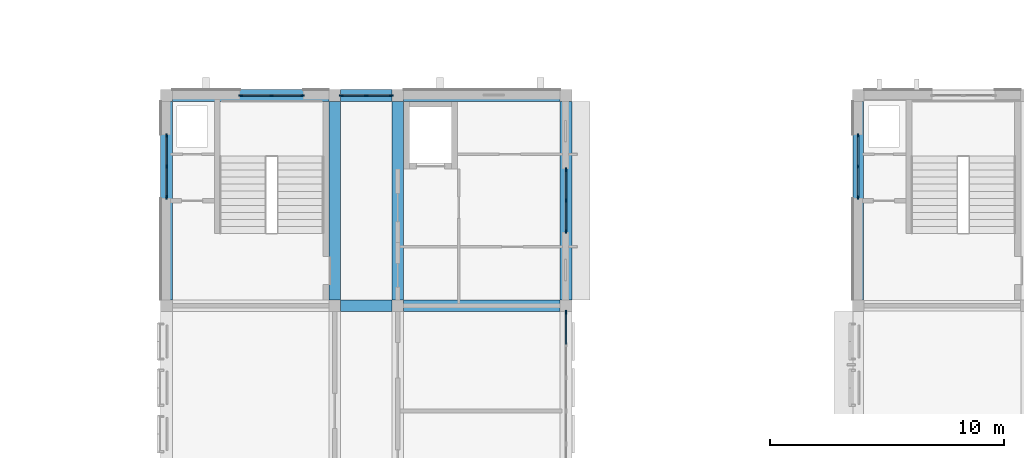
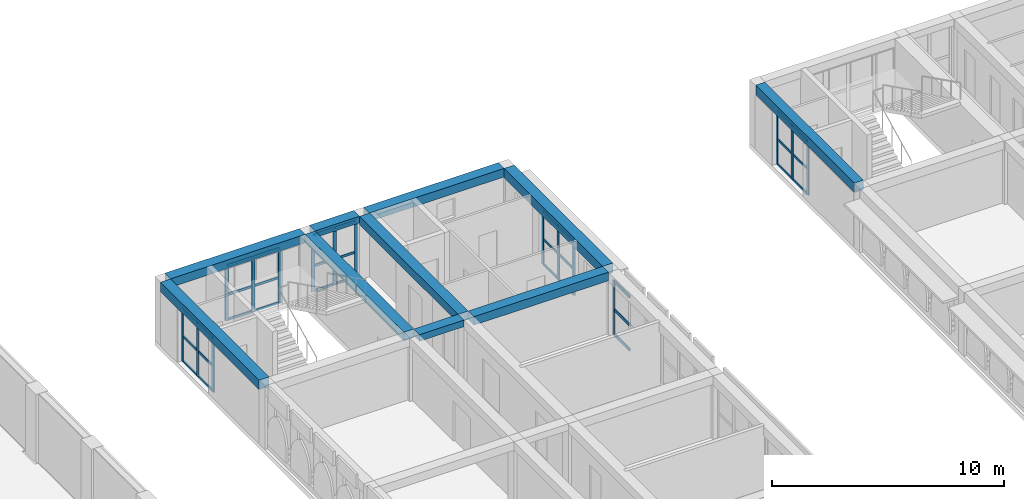
# One storey, part 21 of 82: 49 members, 10 beams, 6 elements without a shape of their own.
"""IFC4 building model written with IfcOpenShell, lengths in metres."""

from ifc_helpers import new_model, si_unit, direction, frame, origin, origin_2d, place, context, subcontext, project, spatial, rectangle, extrude, material, layer, layer_set, material_profile, profile_set, type_object, element, aggregate, save


model = new_model("IFC4")

# Units and contexts
model_context = context("Model", 3, precision=1e-05, world=origin(), true_north=direction((0.0, 1.0)))
body_context = subcontext(model_context, "Body", "Model", "MODEL_VIEW")
ifc_project = project(units=[si_unit("LENGTHUNIT", "METRE"), si_unit("AREAUNIT", "SQUARE_METRE"), si_unit("VOLUMEUNIT", "CUBIC_METRE"), si_unit("PLANEANGLEUNIT", "RADIAN"), si_unit("MASSUNIT", "GRAM", prefix="KILO")], contexts=[model_context])

# Site, building, storey
site_placement = place(None, origin())
site = spatial("IfcSite", under=ifc_project, at=site_placement, CompositionType="ELEMENT")
building_placement = place(site_placement, origin())
building = spatial("IfcBuilding", under=site, at=building_placement, Name="Elbe Cascade School", CompositionType="ELEMENT")
storey_placement = place(building_placement, frame((0.0, 0.0, 4.5)))
storey = spatial("IfcBuildingStorey", under=building, at=storey_placement, Name="L01", CompositionType="ELEMENT", Elevation=4.5)

# Curtain wall, members
ifc_material_1 = material(Name="Aluminium frame with double glazing, bronze anodised", Category="aluminium")
ifc_layer_1 = layer(ifc_material_1, 0.159912109375)
ifc_layer_set_1 = layer_set([ifc_layer_1], Name="Aluminium frame with double glazing, bronze anodised")
curtain_wall_type_1 = type_object("IfcCurtainWallType", Name="Bars envelope Curtain wall, aluminium, bronze anodised, storey-high slot", PredefinedType="NOTDEFINED", material=ifc_layer_set_1)
curtain_wall_1_placement = place(storey_placement, origin())
curtain_wall_1 = element("IfcCurtainWall", 1, at=curtain_wall_1_placement, inside=storey, type_object=curtain_wall_type_1, Name="Curtain wall CW4 A.L01.w6", PredefinedType="NOTDEFINED")
ifc_material_2 = material(Name="Aluminium mullion, bronze anodised", Category="aluminium")
ifc_material_profile_1 = material_profile(ifc_material_2, rectangle(XDim=0.06005859375, YDim=0.159912109375, at=origin_2d()), Name="Bars envelope Curtain wall mullion 60 x 160, aluminium, storey-high slot")
ifc_profile_set_1 = profile_set([ifc_material_profile_1], Name="Aluminium mullion, bronze anodised")
member_type_1 = type_object("IfcMemberType", Name="Bars envelope Curtain wall mullion 60 x 160, aluminium, storey-high slot", PredefinedType="MULLION", material=ifc_profile_set_1)
member_1_placement = place(storey_placement, frame((69.0, 55.639892578125, 0.0), z_axis=(0.0, 0.0, 1.0), x_axis=(-1.0, 0.0, 0.0)))
member_1 = element("IfcMember", 2, at=member_1_placement, type_object=member_type_1, Name="CW4 mullion 1", PredefinedType="MULLION", context=body_context, shape_type="SweptSolid", body=[
    extrude(rectangle(XDim=0.06005859375, YDim=0.159912109375, at=origin_2d()), origin(), (0.0, 0.0, 1.0), 2.85009765625),
])
member_2_placement = place(storey_placement, frame((69.0, 56.9599609375, 0.0), z_axis=(0.0, 0.0, 1.0), x_axis=(-1.0, 0.0, 0.0)))
member_2 = element("IfcMember", 3, at=member_2_placement, type_object=member_type_1, Name="CW4 mullion 2", PredefinedType="MULLION", context=body_context, shape_type="SweptSolid", body=[
    extrude(rectangle(XDim=0.06005859375, YDim=0.159912109375, at=origin_2d()), origin(), (0.0, 0.0, 1.0), 2.85009765625),
])
member_3_placement = place(storey_placement, frame((69.0, 58.280029296875, 0.0), z_axis=(0.0, 0.0, 1.0), x_axis=(-1.0, 0.0, 0.0)))
member_3 = element("IfcMember", 4, at=member_3_placement, type_object=member_type_1, Name="CW4 mullion 3", PredefinedType="MULLION", context=body_context, shape_type="SweptSolid", body=[
    extrude(rectangle(XDim=0.06005859375, YDim=0.159912109375, at=origin_2d()), origin(), (0.0, 0.0, 1.0), 2.85009765625),
])

curtain_wall_2_placement = place(storey_placement, origin())
curtain_wall_2 = element("IfcCurtainWall", 5, at=curtain_wall_2_placement, inside=storey, type_object=curtain_wall_type_1, Name="Curtain wall CW4 A.L01.e6", PredefinedType="NOTDEFINED")
member_4_placement = place(storey_placement, frame((86.10009765625, 56.820068359375, 0.0), z_axis=(0.0, 0.0, 1.0), x_axis=(1.0, 0.0, 0.0)))
member_4 = element("IfcMember", 6, at=member_4_placement, type_object=member_type_1, Name="CW4 mullion 1", PredefinedType="MULLION", context=body_context, shape_type="SweptSolid", body=[
    extrude(rectangle(XDim=0.06005859375, YDim=0.159912109375, at=origin_2d()), origin(), (0.0, 0.0, 1.0), 2.85009765625),
])
member_5_placement = place(storey_placement, frame((86.10009765625, 55.5, 0.0), z_axis=(0.0, 0.0, 1.0), x_axis=(1.0, 0.0, 0.0)))
member_5 = element("IfcMember", 7, at=member_5_placement, type_object=member_type_1, Name="CW4 mullion 2", PredefinedType="MULLION", context=body_context, shape_type="SweptSolid", body=[
    extrude(rectangle(XDim=0.06005859375, YDim=0.159912109375, at=origin_2d()), origin(), (0.0, 0.0, 1.0), 2.85009765625),
])
member_6_placement = place(storey_placement, frame((86.10009765625, 54.179931640625, 0.0), z_axis=(0.0, 0.0, 1.0), x_axis=(1.0, 0.0, 0.0)))
member_6 = element("IfcMember", 8, at=member_6_placement, type_object=member_type_1, Name="CW4 mullion 3", PredefinedType="MULLION", context=body_context, shape_type="SweptSolid", body=[
    extrude(rectangle(XDim=0.06005859375, YDim=0.159912109375, at=origin_2d()), origin(), (0.0, 0.0, 1.0), 2.85009765625),
])

curtain_wall_3_placement = place(storey_placement, origin())
curtain_wall_3 = element("IfcCurtainWall", 9, at=curtain_wall_3_placement, inside=storey, type_object=curtain_wall_type_1, Name="Curtain wall CW4 A.L01.n1", PredefinedType="NOTDEFINED")
member_7_placement = place(storey_placement, frame((72.179931640625, 60.0, 0.0), z_axis=(0.0, 0.0, 1.0), x_axis=(0.0, 1.0, 0.0)))
member_7 = element("IfcMember", 10, at=member_7_placement, type_object=member_type_1, Name="CW4 mullion 1", PredefinedType="MULLION", context=body_context, shape_type="SweptSolid", body=[
    extrude(rectangle(XDim=0.06005859375, YDim=0.159912109375, at=origin_2d()), origin(), (0.0, 0.0, 1.0), 2.89990234375),
])
member_8_placement = place(storey_placement, frame((73.5, 60.0, 0.0), z_axis=(0.0, 0.0, 1.0), x_axis=(0.0, 1.0, 0.0)))
member_8 = element("IfcMember", 11, at=member_8_placement, type_object=member_type_1, Name="CW4 mullion 2", PredefinedType="MULLION", context=body_context, shape_type="SweptSolid", body=[
    extrude(rectangle(XDim=0.06005859375, YDim=0.159912109375, at=origin_2d()), origin(), (0.0, 0.0, 1.0), 2.89990234375),
])
member_9_placement = place(storey_placement, frame((74.820068359375, 60.0, 0.0), z_axis=(0.0, 0.0, 1.0), x_axis=(0.0, 1.0, 0.0)))
member_9 = element("IfcMember", 12, at=member_9_placement, type_object=member_type_1, Name="CW4 mullion 3", PredefinedType="MULLION", context=body_context, shape_type="SweptSolid", body=[
    extrude(rectangle(XDim=0.06005859375, YDim=0.159912109375, at=origin_2d()), origin(), (0.0, 0.0, 1.0), 2.89990234375),
])

curtain_wall_4_placement = place(storey_placement, origin())
curtain_wall_4 = element("IfcCurtainWall", 13, at=curtain_wall_4_placement, inside=storey, type_object=curtain_wall_type_1, Name="Curtain wall CW4 A.L01.n2", PredefinedType="NOTDEFINED")
member_10_placement = place(storey_placement, frame((76.47998046875, 60.0, 0.0), z_axis=(0.0, 0.0, 1.0), x_axis=(0.0, 1.0, 0.0)))
member_10 = element("IfcMember", 14, at=member_10_placement, type_object=member_type_1, Name="CW4 mullion 1", PredefinedType="MULLION", context=body_context, shape_type="SweptSolid", body=[
    extrude(rectangle(XDim=0.06005859375, YDim=0.159912109375, at=origin_2d()), origin(), (0.0, 0.0, 1.0), 3.0),
])
member_11_placement = place(storey_placement, frame((77.550048828125, 60.0, 0.0), z_axis=(0.0, 0.0, 1.0), x_axis=(0.0, 1.0, 0.0)))
member_11 = element("IfcMember", 15, at=member_11_placement, type_object=member_type_1, Name="CW4 mullion 2", PredefinedType="MULLION", context=body_context, shape_type="SweptSolid", body=[
    extrude(rectangle(XDim=0.06005859375, YDim=0.159912109375, at=origin_2d()), origin(), (0.0, 0.0, 1.0), 3.0),
])
member_12_placement = place(storey_placement, frame((78.6201171875, 60.0, 0.0), z_axis=(0.0, 0.0, 1.0), x_axis=(0.0, 1.0, 0.0)))
member_12 = element("IfcMember", 16, at=member_12_placement, type_object=member_type_1, Name="CW4 mullion 3", PredefinedType="MULLION", context=body_context, shape_type="SweptSolid", body=[
    extrude(rectangle(XDim=0.06005859375, YDim=0.159912109375, at=origin_2d()), origin(), (0.0, 0.0, 1.0), 3.0),
])

curtain_wall_5_placement = place(storey_placement, origin())
curtain_wall_5 = element("IfcCurtainWall", 17, at=curtain_wall_5_placement, inside=storey, type_object=curtain_wall_type_1, Name="Curtain wall CW4 B.L01.w6", PredefinedType="NOTDEFINED")
member_13_placement = place(storey_placement, frame((98.60009765625, 55.639892578125, 0.0), z_axis=(0.0, 0.0, 1.0), x_axis=(-1.0, 0.0, 0.0)))
member_13 = element("IfcMember", 18, at=member_13_placement, type_object=member_type_1, Name="CW4 mullion 1", PredefinedType="MULLION", context=body_context, shape_type="SweptSolid", body=[
    extrude(rectangle(XDim=0.06005859375, YDim=0.159912109375, at=origin_2d()), origin(), (0.0, 0.0, 1.0), 2.85009765625),
])
member_14_placement = place(storey_placement, frame((98.60009765625, 56.9599609375, 0.0), z_axis=(0.0, 0.0, 1.0), x_axis=(-1.0, 0.0, 0.0)))
member_14 = element("IfcMember", 19, at=member_14_placement, type_object=member_type_1, Name="CW4 mullion 2", PredefinedType="MULLION", context=body_context, shape_type="SweptSolid", body=[
    extrude(rectangle(XDim=0.06005859375, YDim=0.159912109375, at=origin_2d()), origin(), (0.0, 0.0, 1.0), 2.85009765625),
])
member_15_placement = place(storey_placement, frame((98.60009765625, 58.280029296875, 0.0), z_axis=(0.0, 0.0, 1.0), x_axis=(-1.0, 0.0, 0.0)))
member_15 = element("IfcMember", 20, at=member_15_placement, type_object=member_type_1, Name="CW4 mullion 3", PredefinedType="MULLION", context=body_context, shape_type="SweptSolid", body=[
    extrude(rectangle(XDim=0.06005859375, YDim=0.159912109375, at=origin_2d()), origin(), (0.0, 0.0, 1.0), 2.85009765625),
])

# Curtain wall, member
ifc_material_3 = material(Name="Aluminium frame with double glazing, bronze anodised", Category="aluminium")
ifc_layer_2 = layer(ifc_material_3, 0.179931640625)
ifc_layer_set_2 = layer_set([ifc_layer_2], Name="Aluminium frame with double glazing, bronze anodised")
curtain_wall_type_2 = type_object("IfcCurtainWallType", Name="Bars envelope Curtain wall, aluminium, bronze anodised, wide run", PredefinedType="NOTDEFINED", material=ifc_layer_set_2)
curtain_wall_6_placement = place(storey_placement, origin())
curtain_wall_6 = element("IfcCurtainWall", 21, at=curtain_wall_6_placement, inside=storey, type_object=curtain_wall_type_2, Name="Curtain wall CW5 A.L01.e5", PredefinedType="NOTDEFINED")
ifc_material_4 = material(Name="Aluminium mullion, bronze anodised", Category="aluminium")
ifc_material_profile_2 = material_profile(ifc_material_4, rectangle(XDim=0.06005859375, YDim=0.179931640625, at=origin_2d()), Name="Bars envelope Curtain wall mullion 60 x 180, aluminium, wide run")
ifc_profile_set_2 = profile_set([ifc_material_profile_2], Name="Aluminium mullion, bronze anodised")
member_type_2 = type_object("IfcMemberType", Name="Bars envelope Curtain wall mullion 60 x 180, aluminium, wide run", PredefinedType="MULLION", material=ifc_profile_set_2)
member_16_placement = place(storey_placement, frame((86.10009765625, 50.719970703125, 0.0), z_axis=(0.0, 0.0, 1.0), x_axis=(1.0, 0.0, 0.0)))
member_16 = element("IfcMember", 22, at=member_16_placement, type_object=member_type_2, Name="CW5 mullion 1", PredefinedType="MULLION", context=body_context, shape_type="SweptSolid", body=[
    extrude(rectangle(XDim=0.06005859375, YDim=0.179931640625, at=origin_2d()), origin(), (0.0, 0.0, 1.0), 2.85009765625),
])

# Member
ifc_material_5 = material(Name="Aluminium transom, bronze anodised", Category="aluminium")
ifc_material_profile_3 = material_profile(ifc_material_5, rectangle(XDim=0.06005859375, YDim=0.1201171875, at=origin_2d()), Name="Bars envelope Curtain wall transom 60 x 120, aluminium, storey-high slot")
ifc_profile_set_3 = profile_set([ifc_material_profile_3], Name="Aluminium transom, bronze anodised")
member_type_3 = type_object("IfcMemberType", Name="Bars envelope Curtain wall transom 60 x 120, aluminium, storey-high slot", PredefinedType="USERDEFINED", material=ifc_profile_set_3)
member_17_placement = place(storey_placement, frame((69.0, 55.669921875, 0.030029296875), z_axis=(0.0, 1.0, 0.0), x_axis=(-1.0, 0.0, 0.0)))
member_17 = element("IfcMember", 23, at=member_17_placement, type_object=member_type_3, Name="CW4 transom 1.1", ObjectType="TRANSOM", PredefinedType="USERDEFINED", context=body_context, shape_type="SweptSolid", body=[
    extrude(rectangle(XDim=0.06005859375, YDim=0.1201171875, at=origin_2d()), origin(), (0.0, 0.0, 1.0), 1.260009765625),
])

member_18_placement = place(storey_placement, frame((69.0, 55.669921875, 1.35009765625), z_axis=(0.0, 1.0, 0.0), x_axis=(-1.0, 0.0, 0.0)))
member_18 = element("IfcMember", 24, at=member_18_placement, type_object=member_type_3, Name="CW4 transom 1.2", ObjectType="TRANSOM", PredefinedType="USERDEFINED", context=body_context, shape_type="SweptSolid", body=[
    extrude(rectangle(XDim=0.06005859375, YDim=0.1201171875, at=origin_2d()), origin(), (0.0, 0.0, 1.0), 1.260009765625),
])

member_19_placement = place(storey_placement, frame((69.0, 55.669921875, 2.820068359375), z_axis=(0.0, 1.0, 0.0), x_axis=(-1.0, 0.0, 0.0)))
member_19 = element("IfcMember", 25, at=member_19_placement, type_object=member_type_3, Name="CW4 transom 1.3", ObjectType="TRANSOM", PredefinedType="USERDEFINED", context=body_context, shape_type="SweptSolid", body=[
    extrude(rectangle(XDim=0.06005859375, YDim=0.1201171875, at=origin_2d()), origin(), (0.0, 0.0, 1.0), 1.260009765625),
])

member_20_placement = place(storey_placement, frame((69.0, 56.989990234375, 0.030029296875), z_axis=(0.0, 1.0, 0.0), x_axis=(-1.0, 0.0, 0.0)))
member_20 = element("IfcMember", 26, at=member_20_placement, type_object=member_type_3, Name="CW4 transom 2.1", ObjectType="TRANSOM", PredefinedType="USERDEFINED", context=body_context, shape_type="SweptSolid", body=[
    extrude(rectangle(XDim=0.06005859375, YDim=0.1201171875, at=origin_2d()), origin(), (0.0, 0.0, 1.0), 1.260009765625),
])

member_21_placement = place(storey_placement, frame((69.0, 56.989990234375, 1.35009765625), z_axis=(0.0, 1.0, 0.0), x_axis=(-1.0, 0.0, 0.0)))
member_21 = element("IfcMember", 27, at=member_21_placement, type_object=member_type_3, Name="CW4 transom 2.2", ObjectType="TRANSOM", PredefinedType="USERDEFINED", context=body_context, shape_type="SweptSolid", body=[
    extrude(rectangle(XDim=0.06005859375, YDim=0.1201171875, at=origin_2d()), origin(), (0.0, 0.0, 1.0), 1.260009765625),
])

member_22_placement = place(storey_placement, frame((69.0, 56.989990234375, 2.820068359375), z_axis=(0.0, 1.0, 0.0), x_axis=(-1.0, 0.0, 0.0)))
member_22 = element("IfcMember", 28, at=member_22_placement, type_object=member_type_3, Name="CW4 transom 2.3", ObjectType="TRANSOM", PredefinedType="USERDEFINED", context=body_context, shape_type="SweptSolid", body=[
    extrude(rectangle(XDim=0.06005859375, YDim=0.1201171875, at=origin_2d()), origin(), (0.0, 0.0, 1.0), 1.260009765625),
])

aggregate(curtain_wall_1, [member_1, member_2, member_3, member_17, member_18, member_19, member_20, member_21, member_22])

member_23_placement = place(storey_placement, frame((86.10009765625, 56.7900390625, 0.030029296875), z_axis=(0.0, -1.0, 0.0), x_axis=(1.0, 0.0, 0.0)))
member_23 = element("IfcMember", 29, at=member_23_placement, type_object=member_type_3, Name="CW4 transom 1.1", ObjectType="TRANSOM", PredefinedType="USERDEFINED", context=body_context, shape_type="SweptSolid", body=[
    extrude(rectangle(XDim=0.06005859375, YDim=0.1201171875, at=origin_2d()), origin(), (0.0, 0.0, 1.0), 1.260009765625),
])

member_24_placement = place(storey_placement, frame((86.10009765625, 56.7900390625, 1.35009765625), z_axis=(0.0, -1.0, 0.0), x_axis=(1.0, 0.0, 0.0)))
member_24 = element("IfcMember", 30, at=member_24_placement, type_object=member_type_3, Name="CW4 transom 1.2", ObjectType="TRANSOM", PredefinedType="USERDEFINED", context=body_context, shape_type="SweptSolid", body=[
    extrude(rectangle(XDim=0.06005859375, YDim=0.1201171875, at=origin_2d()), origin(), (0.0, 0.0, 1.0), 1.260009765625),
])

member_25_placement = place(storey_placement, frame((86.10009765625, 56.7900390625, 2.820068359375), z_axis=(0.0, -1.0, 0.0), x_axis=(1.0, 0.0, 0.0)))
member_25 = element("IfcMember", 31, at=member_25_placement, type_object=member_type_3, Name="CW4 transom 1.3", ObjectType="TRANSOM", PredefinedType="USERDEFINED", context=body_context, shape_type="SweptSolid", body=[
    extrude(rectangle(XDim=0.06005859375, YDim=0.1201171875, at=origin_2d()), origin(), (0.0, 0.0, 1.0), 1.260009765625),
])

member_26_placement = place(storey_placement, frame((86.10009765625, 55.469970703125, 0.030029296875), z_axis=(0.0, -1.0, 0.0), x_axis=(1.0, 0.0, 0.0)))
member_26 = element("IfcMember", 32, at=member_26_placement, type_object=member_type_3, Name="CW4 transom 2.1", ObjectType="TRANSOM", PredefinedType="USERDEFINED", context=body_context, shape_type="SweptSolid", body=[
    extrude(rectangle(XDim=0.06005859375, YDim=0.1201171875, at=origin_2d()), origin(), (0.0, 0.0, 1.0), 1.260009765625),
])

member_27_placement = place(storey_placement, frame((86.10009765625, 55.469970703125, 1.35009765625), z_axis=(0.0, -1.0, 0.0), x_axis=(1.0, 0.0, 0.0)))
member_27 = element("IfcMember", 33, at=member_27_placement, type_object=member_type_3, Name="CW4 transom 2.2", ObjectType="TRANSOM", PredefinedType="USERDEFINED", context=body_context, shape_type="SweptSolid", body=[
    extrude(rectangle(XDim=0.06005859375, YDim=0.1201171875, at=origin_2d()), origin(), (0.0, 0.0, 1.0), 1.260009765625),
])

member_28_placement = place(storey_placement, frame((86.10009765625, 55.469970703125, 2.820068359375), z_axis=(0.0, -1.0, 0.0), x_axis=(1.0, 0.0, 0.0)))
member_28 = element("IfcMember", 34, at=member_28_placement, type_object=member_type_3, Name="CW4 transom 2.3", ObjectType="TRANSOM", PredefinedType="USERDEFINED", context=body_context, shape_type="SweptSolid", body=[
    extrude(rectangle(XDim=0.06005859375, YDim=0.1201171875, at=origin_2d()), origin(), (0.0, 0.0, 1.0), 1.260009765625),
])

aggregate(curtain_wall_2, [member_4, member_5, member_6, member_23, member_24, member_25, member_26, member_27, member_28])

member_29_placement = place(storey_placement, frame((72.2099609375, 60.0, 0.030029296875), z_axis=(1.0, 0.0, 0.0), x_axis=(0.0, 1.0, 0.0)))
member_29 = element("IfcMember", 35, at=member_29_placement, type_object=member_type_3, Name="CW4 transom 1.1", ObjectType="TRANSOM", PredefinedType="USERDEFINED", context=body_context, shape_type="SweptSolid", body=[
    extrude(rectangle(XDim=0.06005859375, YDim=0.1201171875, at=origin_2d()), origin(), (0.0, 0.0, 1.0), 1.260009765625),
])

member_30_placement = place(storey_placement, frame((72.2099609375, 60.0, 1.35009765625), z_axis=(1.0, 0.0, 0.0), x_axis=(0.0, 1.0, 0.0)))
member_30 = element("IfcMember", 36, at=member_30_placement, type_object=member_type_3, Name="CW4 transom 1.2", ObjectType="TRANSOM", PredefinedType="USERDEFINED", context=body_context, shape_type="SweptSolid", body=[
    extrude(rectangle(XDim=0.06005859375, YDim=0.1201171875, at=origin_2d()), origin(), (0.0, 0.0, 1.0), 1.260009765625),
])

member_31_placement = place(storey_placement, frame((72.2099609375, 60.0, 2.8701171875), z_axis=(1.0, 0.0, 0.0), x_axis=(0.0, 1.0, 0.0)))
member_31 = element("IfcMember", 37, at=member_31_placement, type_object=member_type_3, Name="CW4 transom 1.3", ObjectType="TRANSOM", PredefinedType="USERDEFINED", context=body_context, shape_type="SweptSolid", body=[
    extrude(rectangle(XDim=0.06005859375, YDim=0.1201171875, at=origin_2d()), origin(), (0.0, 0.0, 1.0), 1.260009765625),
])

member_32_placement = place(storey_placement, frame((73.530029296875, 60.0, 0.030029296875), z_axis=(1.0, 0.0, 0.0), x_axis=(0.0, 1.0, 0.0)))
member_32 = element("IfcMember", 38, at=member_32_placement, type_object=member_type_3, Name="CW4 transom 2.1", ObjectType="TRANSOM", PredefinedType="USERDEFINED", context=body_context, shape_type="SweptSolid", body=[
    extrude(rectangle(XDim=0.06005859375, YDim=0.1201171875, at=origin_2d()), origin(), (0.0, 0.0, 1.0), 1.260009765625),
])

member_33_placement = place(storey_placement, frame((73.530029296875, 60.0, 1.35009765625), z_axis=(1.0, 0.0, 0.0), x_axis=(0.0, 1.0, 0.0)))
member_33 = element("IfcMember", 39, at=member_33_placement, type_object=member_type_3, Name="CW4 transom 2.2", ObjectType="TRANSOM", PredefinedType="USERDEFINED", context=body_context, shape_type="SweptSolid", body=[
    extrude(rectangle(XDim=0.06005859375, YDim=0.1201171875, at=origin_2d()), origin(), (0.0, 0.0, 1.0), 1.260009765625),
])

member_34_placement = place(storey_placement, frame((73.530029296875, 60.0, 2.8701171875), z_axis=(1.0, 0.0, 0.0), x_axis=(0.0, 1.0, 0.0)))
member_34 = element("IfcMember", 40, at=member_34_placement, type_object=member_type_3, Name="CW4 transom 2.3", ObjectType="TRANSOM", PredefinedType="USERDEFINED", context=body_context, shape_type="SweptSolid", body=[
    extrude(rectangle(XDim=0.06005859375, YDim=0.1201171875, at=origin_2d()), origin(), (0.0, 0.0, 1.0), 1.260009765625),
])

aggregate(curtain_wall_3, [member_7, member_8, member_9, member_29, member_30, member_31, member_32, member_33, member_34])

member_35_placement = place(storey_placement, frame((76.510009765625, 60.0, 0.030029296875), z_axis=(1.0, 0.0, 0.0), x_axis=(0.0, 1.0, 0.0)))
member_35 = element("IfcMember", 41, at=member_35_placement, type_object=member_type_3, Name="CW4 transom 1.1", ObjectType="TRANSOM", PredefinedType="USERDEFINED", context=body_context, shape_type="SweptSolid", body=[
    extrude(rectangle(XDim=0.06005859375, YDim=0.1201171875, at=origin_2d()), origin(), (0.0, 0.0, 1.0), 1.010009765625),
])

member_36_placement = place(storey_placement, frame((76.510009765625, 60.0, 1.35009765625), z_axis=(1.0, 0.0, 0.0), x_axis=(0.0, 1.0, 0.0)))
member_36 = element("IfcMember", 42, at=member_36_placement, type_object=member_type_3, Name="CW4 transom 1.2", ObjectType="TRANSOM", PredefinedType="USERDEFINED", context=body_context, shape_type="SweptSolid", body=[
    extrude(rectangle(XDim=0.06005859375, YDim=0.1201171875, at=origin_2d()), origin(), (0.0, 0.0, 1.0), 1.010009765625),
])

member_37_placement = place(storey_placement, frame((76.510009765625, 60.0, 2.969970703125), z_axis=(1.0, 0.0, 0.0), x_axis=(0.0, 1.0, 0.0)))
member_37 = element("IfcMember", 43, at=member_37_placement, type_object=member_type_3, Name="CW4 transom 1.3", ObjectType="TRANSOM", PredefinedType="USERDEFINED", context=body_context, shape_type="SweptSolid", body=[
    extrude(rectangle(XDim=0.06005859375, YDim=0.1201171875, at=origin_2d()), origin(), (0.0, 0.0, 1.0), 1.010009765625),
])

member_38_placement = place(storey_placement, frame((77.580078125, 60.0, 0.030029296875), z_axis=(1.0, 0.0, 0.0), x_axis=(0.0, 1.0, 0.0)))
member_38 = element("IfcMember", 44, at=member_38_placement, type_object=member_type_3, Name="CW4 transom 2.1", ObjectType="TRANSOM", PredefinedType="USERDEFINED", context=body_context, shape_type="SweptSolid", body=[
    extrude(rectangle(XDim=0.06005859375, YDim=0.1201171875, at=origin_2d()), origin(), (0.0, 0.0, 1.0), 1.010009765625),
])

member_39_placement = place(storey_placement, frame((77.580078125, 60.0, 1.35009765625), z_axis=(1.0, 0.0, 0.0), x_axis=(0.0, 1.0, 0.0)))
member_39 = element("IfcMember", 45, at=member_39_placement, type_object=member_type_3, Name="CW4 transom 2.2", ObjectType="TRANSOM", PredefinedType="USERDEFINED", context=body_context, shape_type="SweptSolid", body=[
    extrude(rectangle(XDim=0.06005859375, YDim=0.1201171875, at=origin_2d()), origin(), (0.0, 0.0, 1.0), 1.010009765625),
])

member_40_placement = place(storey_placement, frame((77.580078125, 60.0, 2.969970703125), z_axis=(1.0, 0.0, 0.0), x_axis=(0.0, 1.0, 0.0)))
member_40 = element("IfcMember", 46, at=member_40_placement, type_object=member_type_3, Name="CW4 transom 2.3", ObjectType="TRANSOM", PredefinedType="USERDEFINED", context=body_context, shape_type="SweptSolid", body=[
    extrude(rectangle(XDim=0.06005859375, YDim=0.1201171875, at=origin_2d()), origin(), (0.0, 0.0, 1.0), 1.010009765625),
])

aggregate(curtain_wall_4, [member_10, member_11, member_12, member_35, member_36, member_37, member_38, member_39, member_40])

member_41_placement = place(storey_placement, frame((98.60009765625, 55.669921875, 0.030029296875), z_axis=(0.0, 1.0, 0.0), x_axis=(-1.0, 0.0, 0.0)))
member_41 = element("IfcMember", 47, at=member_41_placement, type_object=member_type_3, Name="CW4 transom 1.1", ObjectType="TRANSOM", PredefinedType="USERDEFINED", context=body_context, shape_type="SweptSolid", body=[
    extrude(rectangle(XDim=0.06005859375, YDim=0.1201171875, at=origin_2d()), origin(), (0.0, 0.0, 1.0), 1.260009765625),
])

member_42_placement = place(storey_placement, frame((98.60009765625, 55.669921875, 1.35009765625), z_axis=(0.0, 1.0, 0.0), x_axis=(-1.0, 0.0, 0.0)))
member_42 = element("IfcMember", 48, at=member_42_placement, type_object=member_type_3, Name="CW4 transom 1.2", ObjectType="TRANSOM", PredefinedType="USERDEFINED", context=body_context, shape_type="SweptSolid", body=[
    extrude(rectangle(XDim=0.06005859375, YDim=0.1201171875, at=origin_2d()), origin(), (0.0, 0.0, 1.0), 1.260009765625),
])

member_43_placement = place(storey_placement, frame((98.60009765625, 55.669921875, 2.820068359375), z_axis=(0.0, 1.0, 0.0), x_axis=(-1.0, 0.0, 0.0)))
member_43 = element("IfcMember", 49, at=member_43_placement, type_object=member_type_3, Name="CW4 transom 1.3", ObjectType="TRANSOM", PredefinedType="USERDEFINED", context=body_context, shape_type="SweptSolid", body=[
    extrude(rectangle(XDim=0.06005859375, YDim=0.1201171875, at=origin_2d()), origin(), (0.0, 0.0, 1.0), 1.260009765625),
])

member_44_placement = place(storey_placement, frame((98.60009765625, 56.989990234375, 0.030029296875), z_axis=(0.0, 1.0, 0.0), x_axis=(-1.0, 0.0, 0.0)))
member_44 = element("IfcMember", 50, at=member_44_placement, type_object=member_type_3, Name="CW4 transom 2.1", ObjectType="TRANSOM", PredefinedType="USERDEFINED", context=body_context, shape_type="SweptSolid", body=[
    extrude(rectangle(XDim=0.06005859375, YDim=0.1201171875, at=origin_2d()), origin(), (0.0, 0.0, 1.0), 1.260009765625),
])

member_45_placement = place(storey_placement, frame((98.60009765625, 56.989990234375, 1.35009765625), z_axis=(0.0, 1.0, 0.0), x_axis=(-1.0, 0.0, 0.0)))
member_45 = element("IfcMember", 51, at=member_45_placement, type_object=member_type_3, Name="CW4 transom 2.2", ObjectType="TRANSOM", PredefinedType="USERDEFINED", context=body_context, shape_type="SweptSolid", body=[
    extrude(rectangle(XDim=0.06005859375, YDim=0.1201171875, at=origin_2d()), origin(), (0.0, 0.0, 1.0), 1.260009765625),
])

member_46_placement = place(storey_placement, frame((98.60009765625, 56.989990234375, 2.820068359375), z_axis=(0.0, 1.0, 0.0), x_axis=(-1.0, 0.0, 0.0)))
member_46 = element("IfcMember", 52, at=member_46_placement, type_object=member_type_3, Name="CW4 transom 2.3", ObjectType="TRANSOM", PredefinedType="USERDEFINED", context=body_context, shape_type="SweptSolid", body=[
    extrude(rectangle(XDim=0.06005859375, YDim=0.1201171875, at=origin_2d()), origin(), (0.0, 0.0, 1.0), 1.260009765625),
])

aggregate(curtain_wall_5, [member_13, member_14, member_15, member_41, member_42, member_43, member_44, member_45, member_46])

ifc_material_6 = material(Name="Aluminium transom, bronze anodised", Category="aluminium")
ifc_material_profile_4 = material_profile(ifc_material_6, rectangle(XDim=0.06005859375, YDim=0.14990234375, at=origin_2d()), Name="Bars envelope Curtain wall transom 60 x 150, aluminium, wide run")
ifc_profile_set_4 = profile_set([ifc_material_profile_4], Name="Aluminium transom, bronze anodised")
member_type_4 = type_object("IfcMemberType", Name="Bars envelope Curtain wall transom 60 x 150, aluminium, wide run", PredefinedType="USERDEFINED", material=ifc_profile_set_4)
member_47_placement = place(storey_placement, frame((86.10009765625, 50.68994140625, 0.030029296875), z_axis=(0.0, -1.0, 0.0), x_axis=(1.0, 0.0, 0.0)))
member_47 = element("IfcMember", 53, at=member_47_placement, type_object=member_type_4, Name="CW5 transom 1.1", ObjectType="TRANSOM", PredefinedType="USERDEFINED", context=body_context, shape_type="SweptSolid", body=[
    extrude(rectangle(XDim=0.06005859375, YDim=0.14990234375, at=origin_2d()), origin(), (0.0, 0.0, 1.0), 1.32666015625),
])

member_48_placement = place(storey_placement, frame((86.10009765625, 50.68994140625, 1.35009765625), z_axis=(0.0, -1.0, 0.0), x_axis=(1.0, 0.0, 0.0)))
member_48 = element("IfcMember", 54, at=member_48_placement, type_object=member_type_4, Name="CW5 transom 1.2", ObjectType="TRANSOM", PredefinedType="USERDEFINED", context=body_context, shape_type="SweptSolid", body=[
    extrude(rectangle(XDim=0.06005859375, YDim=0.14990234375, at=origin_2d()), origin(), (0.0, 0.0, 1.0), 1.32666015625),
])

member_49_placement = place(storey_placement, frame((86.10009765625, 50.68994140625, 2.820068359375), z_axis=(0.0, -1.0, 0.0), x_axis=(1.0, 0.0, 0.0)))
member_49 = element("IfcMember", 55, at=member_49_placement, type_object=member_type_4, Name="CW5 transom 1.3", ObjectType="TRANSOM", PredefinedType="USERDEFINED", context=body_context, shape_type="SweptSolid", body=[
    extrude(rectangle(XDim=0.06005859375, YDim=0.14990234375, at=origin_2d()), origin(), (0.0, 0.0, 1.0), 1.32666015625),
])

aggregate(curtain_wall_6, [member_16, member_47, member_48, member_49])

# Beams
ifc_material_7 = material(Name="Concrete C30/37", Category="concrete")
ifc_material_profile_5 = material_profile(ifc_material_7, rectangle(XDim=0.449951171875, YDim=0.5, at=origin_2d()), Name="RC 450x500")
ifc_profile_set_5 = profile_set([ifc_material_profile_5], Name="Concrete C30/37")
beam_type_1 = type_object("IfcBeamType", Name="RC 450x500 beam", PredefinedType="BEAM", material=ifc_profile_set_5)
beam_1_placement = place(storey_placement, frame((98.60009765625, 51.25, 3.10009765625), z_axis=(0.0, 1.0, 0.0), x_axis=(-1.0, 0.0, 0.0)))
element("IfcBeam", 56, at=beam_1_placement, inside=storey, type_object=beam_type_1, Name="RC 450x500 beam B9", PredefinedType="BEAM", context=body_context, shape_type="SweptSolid", body=[
    extrude(rectangle(XDim=0.449951171875, YDim=0.5, at=origin_2d()), origin(), (0.0, 0.0, 1.0), 8.5),
])
ifc_material_8 = material(Name="Concrete C30/37", Category="concrete")
ifc_material_profile_6 = material_profile(ifc_material_8, rectangle(XDim=0.5, YDim=0.35009765625, at=origin_2d()), Name="RC 500x350")
ifc_profile_set_6 = profile_set([ifc_material_profile_6], Name="Concrete C30/37")
beam_type_2 = type_object("IfcBeamType", Name="RC 500x350 beam", PredefinedType="BEAM", material=ifc_profile_set_6)
for number, where, z_axis, x_axis, name in (
    (57, (76.449951171875, 51.0, 3.175048828125), (1.0, 0.0, 0.0), (0.0, 1.0, 0.0), "RC 500x350 beam B8"),
    (58, (76.449951171875, 60.0, 3.175048828125), (1.0, 0.0, 0.0), (0.0, 1.0, 0.0), "RC 500x350 beam B8"),
):
    element("IfcBeam", number, at=place(storey_placement, frame(where, z_axis=z_axis, x_axis=x_axis)), inside=storey, type_object=beam_type_2, Name=name, PredefinedType="BEAM", context=body_context, shape_type="SweptSolid", body=[
        extrude(rectangle(XDim=0.5, YDim=0.35009765625, at=origin_2d()), origin(), (0.0, 0.0, 1.0), 2.199951171875),
    ])
ifc_material_9 = material(Name="Concrete C30/37", Category="concrete")
ifc_material_profile_7 = material_profile(ifc_material_9, rectangle(XDim=0.5, YDim=0.449951171875, at=origin_2d()), Name="RC 500x450")
ifc_profile_set_7 = profile_set([ifc_material_profile_7], Name="Concrete C30/37")
beam_type_3 = type_object("IfcBeamType", Name="RC 500x450 beam", PredefinedType="BEAM", material=ifc_profile_set_7)
for number, where, z_axis, x_axis, name in (
    (59, (76.199951171875, 51.25, 3.125), (0.0, 1.0, 0.0), (-1.0, 0.0, 0.0), "RC 500x450 beam B7"),
    (60, (78.89990234375, 51.25, 3.125), (0.0, 1.0, 0.0), (-1.0, 0.0, 0.0), "RC 500x450 beam B7"),
):
    element("IfcBeam", number, at=place(storey_placement, frame(where, z_axis=z_axis, x_axis=x_axis)), inside=storey, type_object=beam_type_3, Name=name, PredefinedType="BEAM", context=body_context, shape_type="SweptSolid", body=[
        extrude(rectangle(XDim=0.5, YDim=0.449951171875, at=origin_2d()), origin(), (0.0, 0.0, 1.0), 8.5),
    ])
beam_2_placement = place(storey_placement, frame((79.14990234375, 51.0, 3.125), z_axis=(1.0, 0.0, 0.0), x_axis=(0.0, 1.0, 0.0)))
element("IfcBeam", 61, at=beam_2_placement, inside=storey, type_object=beam_type_3, Name="RC 500x450 beam B7", PredefinedType="BEAM", context=body_context, shape_type="SweptSolid", body=[
    extrude(rectangle(XDim=0.5, YDim=0.449951171875, at=origin_2d()), origin(), (0.0, 0.0, 1.0), 6.7001953125),
])
beam_3_placement = place(storey_placement, frame((69.25, 60.0, 3.125), z_axis=(1.0, 0.0, 0.0), x_axis=(0.0, 1.0, 0.0)))
element("IfcBeam", 62, at=beam_3_placement, inside=storey, type_object=beam_type_3, Name="RC 500x450 beam B7", PredefinedType="BEAM", context=body_context, shape_type="SweptSolid", body=[
    extrude(rectangle(XDim=0.5, YDim=0.449951171875, at=origin_2d()), origin(), (0.0, 0.0, 1.0), 6.699951171875),
])
beam_4_placement = place(storey_placement, frame((79.14990234375, 60.0, 3.125), z_axis=(1.0, 0.0, 0.0), x_axis=(0.0, 1.0, 0.0)))
element("IfcBeam", 63, at=beam_4_placement, inside=storey, type_object=beam_type_3, Name="RC 500x450 beam B7", PredefinedType="BEAM", context=body_context, shape_type="SweptSolid", body=[
    extrude(rectangle(XDim=0.5, YDim=0.449951171875, at=origin_2d()), origin(), (0.0, 0.0, 1.0), 6.7001953125),
])
ifc_material_10 = material(Name="Concrete C30/37", Category="concrete")
ifc_material_profile_8 = material_profile(ifc_material_10, rectangle(XDim=0.5, YDim=0.5, at=origin_2d()), Name="RC 500x500")
ifc_profile_set_8 = profile_set([ifc_material_profile_8], Name="Concrete C30/37")
beam_type_4 = type_object("IfcBeamType", Name="RC 500x500 beam", PredefinedType="BEAM", material=ifc_profile_set_8)
for number, where, z_axis, x_axis, name in (
    (64, (69.0, 51.25, 3.10009765625), (0.0, 1.0, 0.0), (-1.0, 0.0, 0.0), "RC 500x500 beam B6"),
    (65, (86.10009765625, 51.25, 3.10009765625), (0.0, 1.0, 0.0), (-1.0, 0.0, 0.0), "RC 500x500 beam B6"),
):
    element("IfcBeam", number, at=place(storey_placement, frame(where, z_axis=z_axis, x_axis=x_axis)), inside=storey, type_object=beam_type_4, Name=name, PredefinedType="BEAM", context=body_context, shape_type="SweptSolid", body=[
        extrude(rectangle(XDim=0.5, YDim=0.5, at=origin_2d()), origin(), (0.0, 0.0, 1.0), 8.5),
    ])

save(model, "model.ifc")
